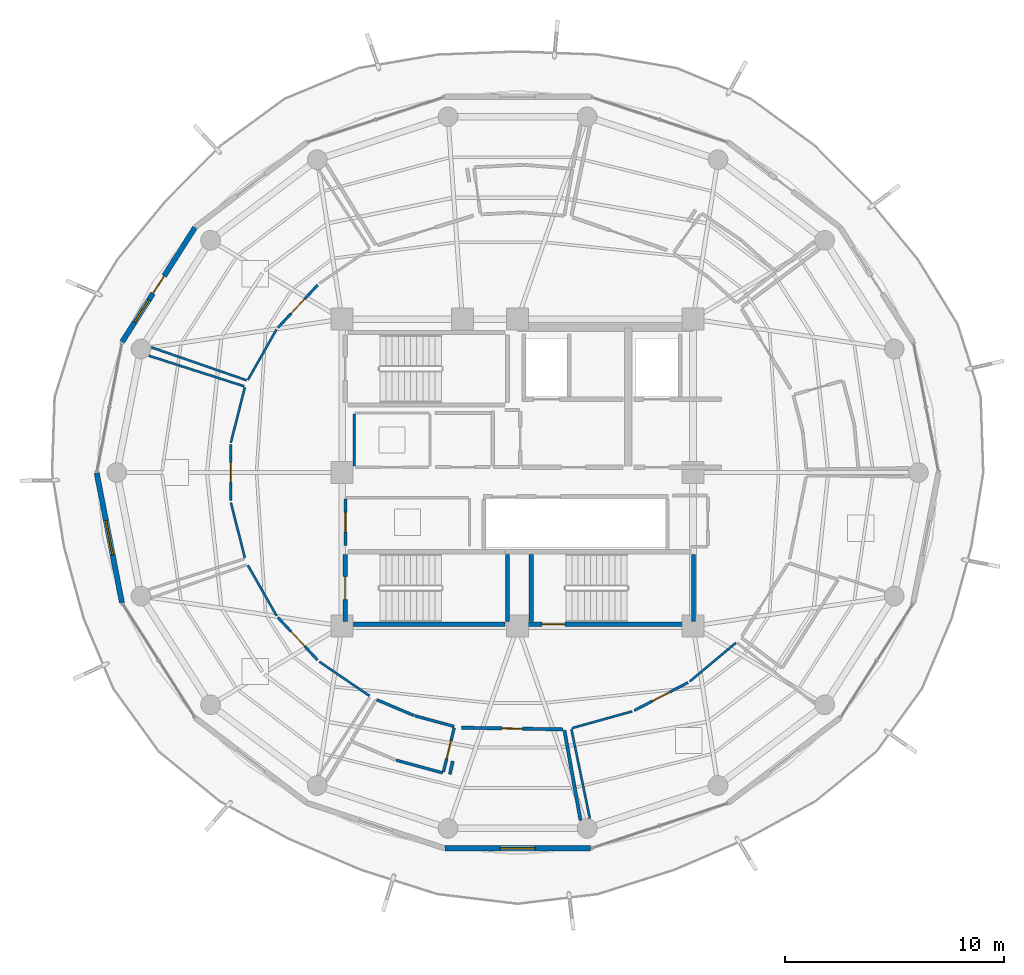
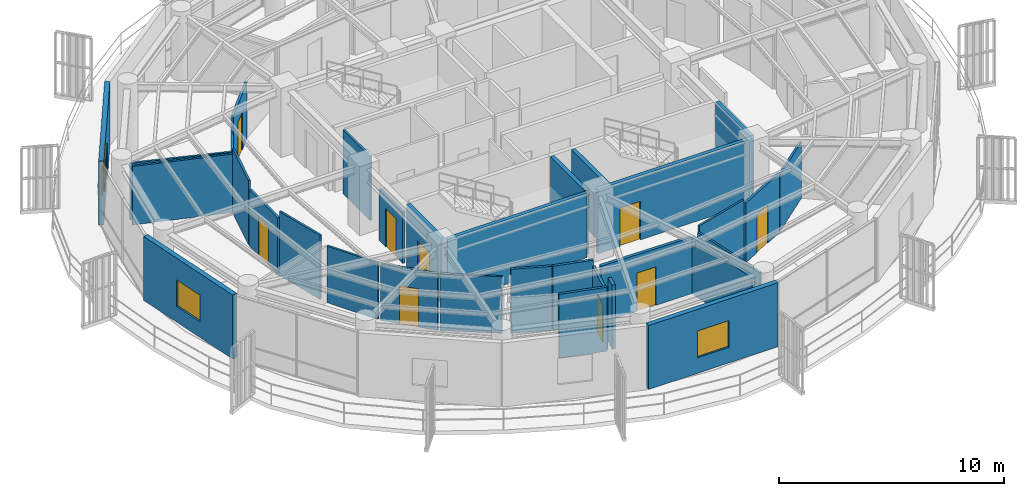
# One storey, part 16 of 23: 32 walls, 10 doors, 3 windows, 13 openings.
"""IFC4 building model written with IfcOpenShell, lengths in metres."""

from ifc_helpers import new_model, si_unit, direction, frame, frame_2d, origin, place, context, subcontext, project, spatial, rectangle, extrude, material, layer, layer_set, type_object, element, fill, save


model = new_model("IFC4")

# Units and contexts
model_context = context("Model", 3, precision=1e-05, world=origin(), true_north=direction((0.0, 1.0)))
body_context = subcontext(model_context, "Body", "Model", "MODEL_VIEW")
ifc_project = project(units=[si_unit("LENGTHUNIT", "METRE"), si_unit("AREAUNIT", "SQUARE_METRE"), si_unit("VOLUMEUNIT", "CUBIC_METRE"), si_unit("PLANEANGLEUNIT", "RADIAN"), si_unit("MASSUNIT", "GRAM", prefix="KILO")], contexts=[model_context])

# Site, building, storey
site_placement = place(None, origin())
site = spatial("IfcSite", under=ifc_project, at=site_placement, CompositionType="ELEMENT")
building_placement = place(site_placement, origin())
building = spatial("IfcBuilding", under=site, at=building_placement, Name="Kelanora Arch Commons", CompositionType="ELEMENT")
storey_placement = place(building_placement, frame((0.0, 0.0, 252.449951171875)))
storey = spatial("IfcBuildingStorey", under=building, at=storey_placement, Name="L64", CompositionType="ELEMENT", Elevation=252.449951171875)

# Wall, opening, door
ifc_material_1 = material(Name="Autoclaved aerated concrete blockwork with fire plaster", Category="masonry")
ifc_layer_1 = layer(ifc_material_1, 0.14990234375)
ifc_layer_set_1 = layer_set([ifc_layer_1], Name="Autoclaved aerated concrete blockwork with fire plaster")
wall_type_1 = type_object("IfcWallType", Name="W-COMP-150", PredefinedType="PARTITIONING", material=ifc_layer_set_1)
wall_1_placement = place(storey_placement, frame((71.44189453125, 46.365966796875, 0.0), z_axis=(0.0, 0.0, 1.0), x_axis=(0.99985475278, -0.017043278545, 0.0)))
wall_1 = element("IfcWall", 1, at=wall_1_placement, inside=storey, type_object=wall_type_1, Name="Co-Living Studio L64-07 Entry Partition", PredefinedType="PARTITIONING", context=body_context, shape_type="SweptSolid", body=[
    extrude(rectangle(XDim=4.626953125, YDim=0.14990234375, at=frame_2d((2.3134765625, 0.0))), origin(), (0.0, 0.0, 1.0), 3.074951171875),
])
opening_1_placement = place(wall_1_placement, frame((1.837890625, 0.0, 0.0)))
opening_1 = element("IfcOpeningElement", 2, at=opening_1_placement, cuts=wall_1, Name="Opening D-CLU1", PredefinedType="OPENING", context=body_context, shape_type="SweptSolid", body=[
    extrude(rectangle(XDim=0.949951171875, YDim=2.080078125, at=frame_2d((0.47509765625, 1.0400390625))), frame((0.0, 0.0849609375, 0.0), z_axis=(0.0, -1.0, 0.0), x_axis=(1.0, 0.0, 0.0)), (0.0, 0.0, 1.0), 0.169921875),
])
ifc_material_2 = material(Name="Solid-core acoustic timber cluster entry fire door", Category="wood")
door_type_1 = type_object("IfcDoorType", Name="D-CLU-95", OperationType="NOTDEFINED", PredefinedType="DOOR", material=ifc_material_2)
door_1_placement = place(opening_1_placement, origin())
door_1 = element("IfcDoor", 3, at=door_1_placement, inside=storey, type_object=door_type_1, Name="Co-Living Studio L64-07 Door", OperationType="SINGLE_SWING_LEFT", OverallHeight=2.080078125, OverallWidth=0.949951171875, PredefinedType="DOOR", context=body_context, shape_type="SweptSolid", body=[
    extrude(rectangle(XDim=0.949951171875, YDim=2.080078125, at=frame_2d((0.47509765625, 1.0400390625))), frame((0.0, 0.02490234375, 0.0), z_axis=(0.0, -1.0, 0.0), x_axis=(1.0, 0.0, 0.0)), (0.0, 0.0, 1.0), 0.050048828125),
])
fill(opening_1, door_1)

# Walls
wall_2_placement = place(storey_placement, frame((76.135009765625, 46.24658203125, 0.0), z_axis=(0.0, 0.0, 1.0), x_axis=(0.176199339585, -0.984354505618, 0.0)))
element("IfcWall", 4, at=wall_2_placement, inside=storey, type_object=wall_type_1, Name="Co-Living Studio L64-07 Enclosure Partition 2", PredefinedType="PARTITIONING", context=body_context, shape_type="SweptSolid", body=[
    extrude(rectangle(XDim=4.17626953125, YDim=0.14990234375, at=frame_2d((2.088134765625, 0.0))), origin(), (0.0, 0.0, 1.0), 3.074951171875),
])
wall_3_placement = place(storey_placement, frame((70.91064453125, 44.239990234375, 0.0), z_axis=(0.0, 0.0, 1.0), x_axis=(0.216216290924, 0.976345489844, 0.0)))
element("IfcWall", 5, at=wall_3_placement, inside=storey, type_object=wall_type_1, Name="Co-Living Studio L64-07 Enclosure Partition 7", PredefinedType="PARTITIONING", context=body_context, shape_type="SweptSolid", body=[
    extrude(rectangle(XDim=0.615478515625, YDim=0.14990234375, at=frame_2d((0.3076171875, 0.0))), origin(), (0.0, 0.0, 1.0), 3.47998046875),
])

# Wall, openings, door, window
ifc_material_3 = material(Name="Precast concrete C40/50 upper-zone terracotta rainscreen", Category="masonry")
ifc_layer_2 = layer(ifc_material_3, 0.239990234375)
ifc_layer_set_2 = layer_set([ifc_layer_2], Name="Precast concrete C40/50 upper-zone terracotta rainscreen")
wall_type_2 = type_object("IfcWallType", Name="W-EXT-TC2", PredefinedType="SOLIDWALL", material=ifc_layer_set_2)
wall_4_placement = place(storey_placement, frame((59.28369140625, 69.171875, 0.0), z_axis=(0.0, 0.0, 1.0), x_axis=(-0.537271968456, -0.843409053728, 0.0)))
wall_4 = element("IfcWall", 6, at=wall_4_placement, inside=storey, type_object=wall_type_2, Name="Terracotta Exterior Wall L64-B07", PredefinedType="SOLIDWALL", context=body_context, shape_type="SweptSolid", body=[
    extrude(rectangle(XDim=6.175048828125, YDim=0.239990234375, at=frame_2d((3.08740234375, 0.0))), origin(), (0.0, 0.0, 1.0), 3.47509765625),
])
opening_2_placement = place(wall_4_placement, frame((2.613037109375, 0.0, 0.0)))
opening_2 = element("IfcOpeningElement", 7, at=opening_2_placement, cuts=wall_4, Name="Opening DB-01", PredefinedType="OPENING", context=body_context, shape_type="SweptSolid", body=[
    extrude(rectangle(XDim=0.949951171875, YDim=2.10009765625, at=frame_2d((0.47509765625, 1.050048828125))), frame((0.0, 0.1298828125, 0.0), z_axis=(0.0, -1.0, 0.0), x_axis=(1.0, 0.0, 0.0)), (0.0, 0.0, 1.0), 0.260009765625),
])
opening_3_placement = place(wall_4_placement, frame((3.9130859375, 0.0, 0.85009765625)))
opening_3 = element("IfcOpeningElement", 8, at=opening_3_placement, cuts=wall_4, Name="Opening WN-02", PredefinedType="OPENING", context=body_context, shape_type="SweptSolid", body=[
    extrude(rectangle(XDim=1.199951171875, YDim=1.449951171875, at=frame_2d((0.60009765625, 0.72509765625))), frame((0.0, 0.1298828125, 0.0), z_axis=(0.0, -1.0, 0.0), x_axis=(1.0, 0.0, 0.0)), (0.0, 0.0, 1.0), 0.260009765625),
])
ifc_material_4 = material(Name="Terracotta-aluminium thermally broken glazed balcony door", Category="masonry")
door_type_2 = type_object("IfcDoorType", Name="D-BAL-10", OperationType="NOTDEFINED", PredefinedType="DOOR", material=ifc_material_4)
door_2_placement = place(opening_2_placement, frame((0.949951171875, 0.0, 0.0), z_axis=(0.0, 0.0, 1.0), x_axis=(-1.0, 0.0, 0.0)))
door_2 = element("IfcDoor", 9, at=door_2_placement, inside=storey, type_object=door_type_2, Name="Wave Balcony Door L64-B07", OperationType="SINGLE_SWING_RIGHT", OverallHeight=2.10009765625, OverallWidth=0.949951171875, PredefinedType="DOOR", context=body_context, shape_type="SweptSolid", body=[
    extrude(rectangle(XDim=0.949951171875, YDim=2.10009765625, at=frame_2d((0.47509765625, 1.050048828125))), frame((0.0, 0.02490234375, 0.0), z_axis=(0.0, -1.0, 0.0), x_axis=(1.0, 0.0, 0.0)), (0.0, 0.0, 1.0), 0.050048828125),
])
fill(opening_2, door_2)
ifc_material_5 = material(Name="Terracotta-anodised aluminium frame with operable awning sash", Category="masonry")
window_type_1 = type_object("IfcWindowType", Name="WIN-CL-12", PartitioningType="SINGLE_PANEL", PredefinedType="WINDOW", material=ifc_material_5)
window_1_placement = place(opening_3_placement, origin())
window_1 = element("IfcWindow", 10, at=window_1_placement, inside=storey, type_object=window_type_1, Name="Co-Living Operable Window L64-B07", OverallHeight=1.449951171875, OverallWidth=1.199951171875, PartitioningType="SINGLE_PANEL", PredefinedType="WINDOW", context=body_context, shape_type="SweptSolid", body=[
    extrude(rectangle(XDim=1.199951171875, YDim=1.449951171875, at=frame_2d((0.60009765625, 0.72509765625))), frame((0.0, 0.030029296875, 0.0), z_axis=(0.0, -1.0, 0.0), x_axis=(1.0, 0.0, 0.0)), (0.0, 0.0, 1.0), 0.06005859375),
])
fill(opening_3, window_1)

# Wall, opening, window
wall_5_placement = place(storey_placement, frame((54.802978515625, 57.9853515625, 0.0), z_axis=(0.0, 0.0, 1.0), x_axis=(0.190969309115, -0.981596008028, 0.0)))
wall_5 = element("IfcWall", 11, at=wall_5_placement, inside=storey, type_object=wall_type_2, Name="Terracotta Exterior Wall L64-B09", PredefinedType="SOLIDWALL", context=body_context, shape_type="SweptSolid", body=[
    extrude(rectangle(XDim=6.032958984375, YDim=0.239990234375, at=frame_2d((3.0166015625, 0.0))), origin(), (0.0, 0.0, 1.0), 3.47509765625),
])
opening_4_placement = place(wall_5_placement, frame((2.216064453125, 0.0, 0.85009765625)))
opening_4 = element("IfcOpeningElement", 12, at=opening_4_placement, cuts=wall_5, Name="Opening WN-01", PredefinedType="OPENING", context=body_context, shape_type="SweptSolid", body=[
    extrude(rectangle(XDim=1.60009765625, YDim=1.449951171875, at=frame_2d((0.800048828125, 0.72509765625))), frame((0.0, 0.1298828125, 0.0), z_axis=(0.0, -1.0, 0.0), x_axis=(1.0, 0.0, 0.0)), (0.0, 0.0, 1.0), 0.260009765625),
])
ifc_material_6 = material(Name="Terracotta-anodised aluminium frame with operable low-E glazing", Category="masonry")
window_type_2 = type_object("IfcWindowType", Name="WIN-CL-18", PartitioningType="DOUBLE_PANEL_VERTICAL", PredefinedType="WINDOW", material=ifc_material_6)
window_2_placement = place(opening_4_placement, origin())
window_2 = element("IfcWindow", 13, at=window_2_placement, inside=storey, type_object=window_type_2, Name="Co-Living Operable Window L64-B09", OverallHeight=1.449951171875, OverallWidth=1.60009765625, PartitioningType="SINGLE_PANEL", PredefinedType="WINDOW", context=body_context, shape_type="SweptSolid", body=[
    extrude(rectangle(XDim=1.60009765625, YDim=1.449951171875, at=frame_2d((0.800048828125, 0.72509765625))), frame((0.0, 0.030029296875, 0.0), z_axis=(0.0, -1.0, 0.0), x_axis=(1.0, 0.0, 0.0)), (0.0, 0.0, 1.0), 0.06005859375),
])
fill(opening_4, window_2)

wall_6_placement = place(storey_placement, frame((70.680908203125, 40.8642578125, 0.0), z_axis=(0.0, 0.0, 1.0), x_axis=(1.0, 0.0, 0.0)))
wall_6 = element("IfcWall", 14, at=wall_6_placement, inside=storey, type_object=wall_type_2, Name="Terracotta Exterior Wall L64-B13", PredefinedType="SOLIDWALL", context=body_context, shape_type="SweptSolid", body=[
    extrude(rectangle(XDim=6.63818359375, YDim=0.239990234375, at=frame_2d((3.319091796875, 0.0))), origin(), (0.0, 0.0, 1.0), 3.47509765625),
])
opening_5_placement = place(wall_6_placement, frame((2.51904296875, 0.0, 0.85009765625)))
opening_5 = element("IfcOpeningElement", 15, at=opening_5_placement, cuts=wall_6, Name="Opening WN-01", PredefinedType="OPENING", context=body_context, shape_type="SweptSolid", body=[
    extrude(rectangle(XDim=1.60009765625, YDim=1.449951171875, at=frame_2d((0.800048828125, 0.72509765625))), frame((0.0, 0.1298828125, 0.0), z_axis=(0.0, -1.0, 0.0), x_axis=(1.0, 0.0, 0.0)), (0.0, 0.0, 1.0), 0.260009765625),
])
window_3_placement = place(opening_5_placement, origin())
window_3 = element("IfcWindow", 16, at=window_3_placement, inside=storey, type_object=window_type_2, Name="Co-Living Operable Window L64-B13", OverallHeight=1.449951171875, OverallWidth=1.60009765625, PartitioningType="SINGLE_PANEL", PredefinedType="WINDOW", context=body_context, shape_type="SweptSolid", body=[
    extrude(rectangle(XDim=1.60009765625, YDim=1.449951171875, at=frame_2d((0.800048828125, 0.72509765625))), frame((0.0, 0.030029296875, 0.0), z_axis=(0.0, -1.0, 0.0), x_axis=(1.0, 0.0, 0.0)), (0.0, 0.0, 1.0), 0.06005859375),
])
fill(opening_5, window_3)

# Walls
ifc_material_7 = material(Name="Lightweight fire-rated acoustic stud partition")
ifc_layer_3 = layer(ifc_material_7, 0.10009765625)
ifc_layer_set_3 = layer_set([ifc_layer_3], Name="Lightweight fire-rated acoustic stud partition")
wall_type_3 = type_object("IfcWallType", Name="W-PART-100", PredefinedType="PARTITIONING", material=ifc_layer_set_3)
wall_7_placement = place(storey_placement, frame((66.550048828125, 60.679931640625, 0.0), z_axis=(0.0, 0.0, 1.0), x_axis=(0.0, -1.0, 0.0)))
element("IfcWall", 17, at=wall_7_placement, inside=storey, type_object=wall_type_3, Name="Reclaimed Core Quiet Phone Booths L64 Enclosure Partition 4", PredefinedType="PARTITIONING", context=body_context, shape_type="SweptSolid", body=[
    extrude(rectangle(XDim=2.389892578125, YDim=0.10009765625, at=frame_2d((1.19482421875, 0.0))), origin(), (0.0, 0.0, 1.0), 3.47998046875),
])
wall_8_placement = place(storey_placement, frame((63.006103515625, 64.5283203125, 0.0), z_axis=(0.0, 0.0, 1.0), x_axis=(-0.494277588427, -0.869304127207, 0.0)))
element("IfcWall", 18, at=wall_8_placement, inside=storey, type_object=wall_type_3, Name="Communal Dining and Social Hall L64-04 Enclosure Partition 3", PredefinedType="PARTITIONING", context=body_context, shape_type="SweptSolid", body=[
    extrude(rectangle(XDim=2.64306640625, YDim=0.10009765625, at=frame_2d((1.321533203125, 0.0))), origin(), (0.0, 0.0, 1.0), 3.074951171875),
])
wall_9_placement = place(storey_placement, frame((61.64208984375, 62.208984375, 0.0), z_axis=(0.0, 0.0, 1.0), x_axis=(-0.945103281494, 0.326771766388, 0.0)))
element("IfcWall", 19, at=wall_9_placement, inside=storey, type_object=wall_type_3, Name="Communal Dining and Social Hall L64-04 Enclosure Partition 4", PredefinedType="PARTITIONING", context=body_context, shape_type="SweptSolid", body=[
    extrude(rectangle(XDim=4.603759765625, YDim=0.10009765625, at=frame_2d((2.3017578125, 0.0))), origin(), (0.0, 0.0, 1.0), 3.074951171875),
])
for number, where, z_axis, x_axis, name in (
    (20, (61.560302734375, 61.88427734375, 0.0), (0.0, 0.0, 1.0), (-0.245655775867, -0.969357127061, 0.0), "Social Sky Lounge L64-05 Enclosure Partition 1"),
    (21, (60.9228515625, 56.631103515625, 0.0), (0.0, 0.0, 1.0), (0.245655775867, -0.969357127061, 0.0), "Social Sky Lounge L64-05 Enclosure Partition 3"),
):
    element("IfcWall", number, at=place(storey_placement, frame(where, z_axis=z_axis, x_axis=x_axis)), inside=storey, type_object=wall_type_3, Name=name, PredefinedType="PARTITIONING", context=body_context, shape_type="SweptSolid", body=[
        extrude(rectangle(XDim=2.594970703125, YDim=0.10009765625, at=frame_2d((1.29736328125, 0.0))), origin(), (0.0, 0.0, 1.0), 3.47998046875),
    ])
wall_10_placement = place(storey_placement, frame((57.184326171875, 63.328857421875, 0.0), z_axis=(0.0, 0.0, 1.0), x_axis=(0.95227750557, -0.305233602976, 0.0)))
element("IfcWall", 22, at=wall_10_placement, inside=storey, type_object=wall_type_3, Name="Social Sky Lounge L64-05 Enclosure Partition 8", PredefinedType="PARTITIONING", context=body_context, shape_type="SweptSolid", body=[
    extrude(rectangle(XDim=4.5654296875, YDim=0.10009765625, at=frame_2d((2.28271484375, 0.0))), origin(), (0.0, 0.0, 1.0), 3.175048828125),
])
wall_11_placement = place(storey_placement, frame((61.69970703125, 53.769287109375, 0.0), z_axis=(0.0, 0.0, 1.0), x_axis=(0.494277588427, -0.869304127207, 0.0)))
element("IfcWall", 23, at=wall_11_placement, inside=storey, type_object=wall_type_3, Name="Quiet Seminar Study Room L64-06 Enclosure Partition 1", PredefinedType="PARTITIONING", context=body_context, shape_type="SweptSolid", body=[
    extrude(rectangle(XDim=2.64306640625, YDim=0.10009765625, at=frame_2d((1.321533203125, 0.0))), origin(), (0.0, 0.0, 1.0), 3.074951171875),
])
wall_12_placement = place(storey_placement, frame((64.9560546875, 49.37646484375, 0.0), z_axis=(0.0, 0.0, 1.0), x_axis=(0.826087380575, -0.563542047814, 0.0)))
element("IfcWall", 24, at=wall_12_placement, inside=storey, type_object=wall_type_3, Name="Quiet Seminar Study Room L64-06 Enclosure Partition 3", PredefinedType="PARTITIONING", context=body_context, shape_type="SweptSolid", body=[
    extrude(rectangle(XDim=2.768310546875, YDim=0.10009765625, at=frame_2d((1.38427734375, 0.0))), origin(), (0.0, 0.0, 1.0), 3.074951171875),
])
wall_13_placement = place(storey_placement, frame((76.4833984375, 46.3466796875, 0.0), z_axis=(0.0, 0.0, 1.0), x_axis=(0.963478601256, 0.267785333659, 0.0)))
element("IfcWall", 25, at=wall_13_placement, inside=storey, type_object=wall_type_3, Name="Communal Dining and Social Hall L64-08 Enclosure Partition 1", PredefinedType="PARTITIONING", context=body_context, shape_type="SweptSolid", body=[
    extrude(rectangle(XDim=2.84814453125, YDim=0.10009765625, at=frame_2d((1.424072265625, 0.0))), origin(), (0.0, 0.0, 1.0), 3.47998046875),
])
wall_14_placement = place(storey_placement, frame((81.851806640625, 48.4755859375, 0.0), z_axis=(0.0, 0.0, 1.0), x_axis=(0.767022676895, 0.641619991216, 0.0)))
element("IfcWall", 26, at=wall_14_placement, inside=storey, type_object=wall_type_3, Name="Communal Dining and Social Hall L64-08 Enclosure Partition 3", PredefinedType="PARTITIONING", context=body_context, shape_type="SweptSolid", body=[
    extrude(rectangle(XDim=2.7412109375, YDim=0.10009765625, at=frame_2d((1.37060546875, 0.0))), origin(), (0.0, 0.0, 1.0), 3.074951171875),
])
wall_15_placement = place(storey_placement, frame((77.293212890625, 42.230224609375, 0.0), z_axis=(0.0, 0.0, 1.0), x_axis=(-0.202308141573, 0.979321916355, 0.0)))
element("IfcWall", 27, at=wall_15_placement, inside=storey, type_object=wall_type_3, Name="Communal Dining and Social Hall L64-08 Enclosure Partition 8", PredefinedType="PARTITIONING", context=body_context, shape_type="SweptSolid", body=[
    extrude(rectangle(XDim=4.152587890625, YDim=0.10009765625, at=frame_2d((2.076171875, 0.0))), origin(), (0.0, 0.0, 1.0), 3.175048828125),
])

# Wall, opening, door
ifc_material_8 = material(Name="Acoustic twin-stud fire-rated gypsum partition")
ifc_layer_4 = layer(ifc_material_8, 0.1201171875)
ifc_layer_set_4 = layer_set([ifc_layer_4], Name="Acoustic twin-stud fire-rated gypsum partition")
wall_type_4 = type_object("IfcWallType", Name="W-PART-120", PredefinedType="PARTITIONING", material=ifc_layer_set_4)
wall_16_placement = place(storey_placement, frame((66.14990234375, 54.679931640625, 0.0), z_axis=(0.0, 0.0, 1.0), x_axis=(0.0, 1.0, 0.0)))
wall_16 = element("IfcWall", 28, at=wall_16_placement, inside=storey, type_object=wall_type_4, Name="Reclaimed Core High-Zone Pantry and Copy Room L64 Entry Partition", PredefinedType="PARTITIONING", context=body_context, shape_type="SweptSolid", body=[
    extrude(rectangle(XDim=2.110107421875, YDim=0.1201171875, at=frame_2d((1.05517578125, 0.0))), origin(), (0.0, 0.0, 1.0), 2.775146484375),
])
opening_6_placement = place(wall_16_placement, frame((0.60498046875, 0.0, 0.0)))
opening_6 = element("IfcOpeningElement", 29, at=opening_6_placement, cuts=wall_16, Name="Opening D-RM1", PredefinedType="OPENING", context=body_context, shape_type="SweptSolid", body=[
    extrude(rectangle(XDim=0.89990234375, YDim=2.080078125, at=frame_2d((0.449951171875, 1.0400390625))), frame((0.0, 0.070068359375, 0.0), z_axis=(0.0, -1.0, 0.0), x_axis=(1.0, 0.0, 0.0)), (0.0, 0.0, 1.0), 0.14013671875),
])
ifc_material_9 = material(Name="Acoustic fire-rated timber study and lounge door", Category="wood")
door_type_3 = type_object("IfcDoorType", Name="D-ROOM-90", OperationType="NOTDEFINED", PredefinedType="DOOR", material=ifc_material_9)
door_3_placement = place(opening_6_placement, origin())
door_3 = element("IfcDoor", 30, at=door_3_placement, inside=storey, type_object=door_type_3, Name="Reclaimed Core High-Zone Pantry and Copy Room L64 Door", OperationType="SINGLE_SWING_RIGHT", OverallHeight=2.080078125, OverallWidth=0.89990234375, PredefinedType="DOOR", context=body_context, shape_type="SweptSolid", body=[
    extrude(rectangle(XDim=0.89990234375, YDim=2.080078125, at=frame_2d((0.449951171875, 1.0400390625))), frame((0.0, 0.02490234375, 0.0), z_axis=(0.0, -1.0, 0.0), x_axis=(1.0, 0.0, 0.0)), (0.0, 0.0, 1.0), 0.050048828125),
])
fill(opening_6, door_3)

wall_17_placement = place(storey_placement, frame((64.882080078125, 66.55712890625, 0.0), z_axis=(0.0, 0.0, 1.0), x_axis=(-0.681315269885, -0.731990097625, 0.0)))
wall_17 = element("IfcWall", 31, at=wall_17_placement, inside=storey, type_object=wall_type_4, Name="Communal Dining and Social Hall L64-04 Entry Partition", PredefinedType="PARTITIONING", context=body_context, shape_type="SweptSolid", body=[
    extrude(rectangle(XDim=2.664306640625, YDim=0.1201171875, at=frame_2d((1.33203125, 0.0))), origin(), (0.0, 0.0, 1.0), 3.074951171875),
])
opening_7_placement = place(wall_17_placement, frame((0.882080078125, 0.0, 0.0)))
opening_7 = element("IfcOpeningElement", 32, at=opening_7_placement, cuts=wall_17, Name="Opening D-RM1", PredefinedType="OPENING", context=body_context, shape_type="SweptSolid", body=[
    extrude(rectangle(XDim=0.89990234375, YDim=2.080078125, at=frame_2d((0.449951171875, 1.0400390625))), frame((0.0, 0.070068359375, 0.0), z_axis=(0.0, -1.0, 0.0), x_axis=(1.0, 0.0, 0.0)), (0.0, 0.0, 1.0), 0.14013671875),
])
door_4_placement = place(opening_7_placement, origin())
door_4 = element("IfcDoor", 33, at=door_4_placement, inside=storey, type_object=door_type_3, Name="Communal Dining and Social Hall L64-04 Door", OperationType="SINGLE_SWING_LEFT", OverallHeight=2.080078125, OverallWidth=0.89990234375, PredefinedType="DOOR", context=body_context, shape_type="SweptSolid", body=[
    extrude(rectangle(XDim=0.89990234375, YDim=2.080078125, at=frame_2d((0.449951171875, 1.0400390625))), frame((0.0, 0.02490234375, 0.0), z_axis=(0.0, -1.0, 0.0), x_axis=(1.0, 0.0, 0.0)), (0.0, 0.0, 1.0), 0.050048828125),
])
fill(opening_7, door_4)

wall_18_placement = place(storey_placement, frame((60.9130859375, 59.27001953125, 0.0), z_axis=(0.0, 0.0, 1.0), x_axis=(0.0, -1.0, 0.0)))
wall_18 = element("IfcWall", 34, at=wall_18_placement, inside=storey, type_object=wall_type_4, Name="Social Sky Lounge L64-05 Entry Partition", PredefinedType="PARTITIONING", context=body_context, shape_type="SweptSolid", body=[
    extrude(rectangle(XDim=2.5400390625, YDim=0.1201171875, at=frame_2d((1.27001953125, 0.0))), origin(), (0.0, 0.0, 1.0), 3.074951171875),
])
opening_8_placement = place(wall_18_placement, frame((0.820068359375, 0.0, 0.0)))
opening_8 = element("IfcOpeningElement", 35, at=opening_8_placement, cuts=wall_18, Name="Opening D-RM1", PredefinedType="OPENING", context=body_context, shape_type="SweptSolid", body=[
    extrude(rectangle(XDim=0.89990234375, YDim=2.080078125, at=frame_2d((0.449951171875, 1.0400390625))), frame((0.0, 0.070068359375, 0.0), z_axis=(0.0, -1.0, 0.0), x_axis=(1.0, 0.0, 0.0)), (0.0, 0.0, 1.0), 0.14013671875),
])
door_5_placement = place(opening_8_placement, origin())
door_5 = element("IfcDoor", 36, at=door_5_placement, inside=storey, type_object=door_type_3, Name="Social Sky Lounge L64-05 Door", OperationType="SINGLE_SWING_RIGHT", OverallHeight=2.080078125, OverallWidth=0.89990234375, PredefinedType="DOOR", context=body_context, shape_type="SweptSolid", body=[
    extrude(rectangle(XDim=0.89990234375, YDim=2.080078125, at=frame_2d((0.449951171875, 1.0400390625))), frame((0.0, 0.02490234375, 0.0), z_axis=(0.0, -1.0, 0.0), x_axis=(1.0, 0.0, 0.0)), (0.0, 0.0, 1.0), 0.050048828125),
])
fill(opening_8, door_5)

wall_19_placement = place(storey_placement, frame((63.06689453125, 51.39306640625, 0.0), z_axis=(0.0, 0.0, 1.0), x_axis=(0.681315269885, -0.731990097625, 0.0)))
wall_19 = element("IfcWall", 37, at=wall_19_placement, inside=storey, type_object=wall_type_4, Name="Quiet Seminar Study Room L64-06 Entry Partition", PredefinedType="PARTITIONING", context=body_context, shape_type="SweptSolid", body=[
    extrude(rectangle(XDim=2.664306640625, YDim=0.1201171875, at=frame_2d((1.33203125, 0.0))), origin(), (0.0, 0.0, 1.0), 3.074951171875),
])
opening_9_placement = place(wall_19_placement, frame((0.882080078125, 0.0, 0.0)))
opening_9 = element("IfcOpeningElement", 38, at=opening_9_placement, cuts=wall_19, Name="Opening D-RM1", PredefinedType="OPENING", context=body_context, shape_type="SweptSolid", body=[
    extrude(rectangle(XDim=0.89990234375, YDim=2.080078125, at=frame_2d((0.449951171875, 1.0400390625))), frame((0.0, 0.070068359375, 0.0), z_axis=(0.0, -1.0, 0.0), x_axis=(1.0, 0.0, 0.0)), (0.0, 0.0, 1.0), 0.14013671875),
])
door_6_placement = place(opening_9_placement, origin())
door_6 = element("IfcDoor", 39, at=door_6_placement, inside=storey, type_object=door_type_3, Name="Quiet Seminar Study Room L64-06 Door", OperationType="SINGLE_SWING_LEFT", OverallHeight=2.080078125, OverallWidth=0.89990234375, PredefinedType="DOOR", context=body_context, shape_type="SweptSolid", body=[
    extrude(rectangle(XDim=0.89990234375, YDim=2.080078125, at=frame_2d((0.449951171875, 1.0400390625))), frame((0.0, 0.02490234375, 0.0), z_axis=(0.0, -1.0, 0.0), x_axis=(1.0, 0.0, 0.0)), (0.0, 0.0, 1.0), 0.050048828125),
])
fill(opening_9, door_6)

wall_20_placement = place(storey_placement, frame((79.319091796875, 47.147705078125, 0.0), z_axis=(0.0, 0.0, 1.0), x_axis=(0.887021247279, 0.461728607382, 0.0)))
wall_20 = element("IfcWall", 40, at=wall_20_placement, inside=storey, type_object=wall_type_4, Name="Communal Dining and Social Hall L64-08 Entry Partition", PredefinedType="PARTITIONING", context=body_context, shape_type="SweptSolid", body=[
    extrude(rectangle(XDim=2.7607421875, YDim=0.1201171875, at=frame_2d((1.38037109375, 0.0))), origin(), (0.0, 0.0, 1.0), 3.235107421875),
])
opening_10_placement = place(wall_20_placement, frame((0.929931640625, 0.0, 0.0)))
opening_10 = element("IfcOpeningElement", 41, at=opening_10_placement, cuts=wall_20, Name="Opening D-RM1", PredefinedType="OPENING", context=body_context, shape_type="SweptSolid", body=[
    extrude(rectangle(XDim=0.89990234375, YDim=2.080078125, at=frame_2d((0.449951171875, 1.0400390625))), frame((0.0, 0.070068359375, 0.0), z_axis=(0.0, -1.0, 0.0), x_axis=(1.0, 0.0, 0.0)), (0.0, 0.0, 1.0), 0.14013671875),
])
door_7_placement = place(opening_10_placement, origin())
door_7 = element("IfcDoor", 42, at=door_7_placement, inside=storey, type_object=door_type_3, Name="Communal Dining and Social Hall L64-08 Door", OperationType="SINGLE_SWING_RIGHT", OverallHeight=2.080078125, OverallWidth=0.89990234375, PredefinedType="DOOR", context=body_context, shape_type="SweptSolid", body=[
    extrude(rectangle(XDim=0.89990234375, YDim=2.080078125, at=frame_2d((0.449951171875, 1.0400390625))), frame((0.0, 0.02490234375, 0.0), z_axis=(0.0, -1.0, 0.0), x_axis=(1.0, 0.0, 0.0)), (0.0, 0.0, 1.0), 0.050048828125),
])
fill(opening_10, door_7)

ifc_material_10 = material(Name="Concrete C40/50", Category="concrete")
ifc_layer_5 = layer(ifc_material_10, 0.199951171875)
ifc_layer_set_5 = layer_set([ifc_layer_5], Name="Concrete C40/50")
wall_type_5 = type_object("IfcWallType", Name="W-STAIR-200", PredefinedType="SHEAR", material=ifc_layer_set_5)
wall_21_placement = place(storey_placement, frame((74.0, 51.080078125, 0.0), z_axis=(0.0, 0.0, 1.0), x_axis=(1.0, 0.0, 0.0)))
wall_21 = element("IfcWall", 43, at=wall_21_placement, inside=storey, type_object=wall_type_5, Name="Stair ST-T2 Shaft Wall S L64", PredefinedType="SHEAR", context=body_context, shape_type="SweptSolid", body=[
    extrude(rectangle(XDim=7.89990234375, YDim=0.199951171875, at=frame_2d((3.949951171875, 0.0))), origin(), (0.0, 0.0, 1.0), 3.489990234375),
])
opening_11_placement = place(wall_21_placement, frame((1.1201171875, 0.0, 0.0)))
opening_11 = element("IfcOpeningElement", 44, at=opening_11_placement, cuts=wall_21, Name="Opening D-ST1", PredefinedType="OPENING", context=body_context, shape_type="SweptSolid", body=[
    extrude(rectangle(XDim=1.050048828125, YDim=2.10009765625, at=frame_2d((0.52490234375, 1.050048828125))), frame((0.0, 0.10986328125, 0.0), z_axis=(0.0, -1.0, 0.0), x_axis=(1.0, 0.0, 0.0)), (0.0, 0.0, 1.0), 0.219970703125),
])
ifc_material_11 = material(Name="Steel fire-rated stairwell escape door", Category="steel")
door_type_4 = type_object("IfcDoorType", Name="D-STAIR-110", OperationType="NOTDEFINED", PredefinedType="DOOR", material=ifc_material_11)
door_8_placement = place(opening_11_placement, origin())
door_8 = element("IfcDoor", 45, at=door_8_placement, inside=storey, type_object=door_type_4, Name="Stair ST-T2 Escape Door L64", OperationType="SINGLE_SWING_LEFT", OverallHeight=2.10009765625, OverallWidth=1.050048828125, PredefinedType="DOOR", context=body_context, shape_type="SweptSolid", body=[
    extrude(rectangle(XDim=1.050048828125, YDim=2.10009765625, at=frame_2d((0.52490234375, 1.050048828125))), frame((0.0, 0.02490234375, 0.0), z_axis=(0.0, -1.0, 0.0), x_axis=(1.0, 0.0, 0.0)), (0.0, 0.0, 1.0), 0.050048828125),
])
fill(opening_11, door_8)

# Walls
for number, where, z_axis, x_axis, name in (
    (46, (82.02001953125, 51.199951171875, 0.0), (0.0, 0.0, 1.0), (0.0, 1.0, 0.0), "Stair ST-T2 Shaft Wall E L64"),
    (47, (74.6201171875, 54.27001953125, 0.0), (0.0, 0.0, 1.0), (0.0, -1.0, 0.0), "Stair ST-T2 Shaft Wall W L64"),
):
    element("IfcWall", number, at=place(storey_placement, frame(where, z_axis=z_axis, x_axis=x_axis)), inside=storey, type_object=wall_type_5, Name=name, PredefinedType="SHEAR", context=body_context, shape_type="SweptSolid", body=[
        extrude(rectangle(XDim=3.070068359375, YDim=0.199951171875, at=frame_2d((1.53515625, 0.0))), origin(), (0.0, 0.0, 1.0), 3.489990234375),
    ])
wall_22_placement = place(storey_placement, frame((66.260009765625, 51.080078125, 0.0), z_axis=(0.0, 0.0, 1.0), x_axis=(1.0, 0.0, 0.0)))
element("IfcWall", 48, at=wall_22_placement, inside=storey, type_object=wall_type_5, Name="Stair ST-T3 Shaft Wall S L64", PredefinedType="SHEAR", context=body_context, shape_type="SweptSolid", body=[
    extrude(rectangle(XDim=7.159912109375, YDim=0.199951171875, at=frame_2d((3.580078125, 0.0))), origin(), (0.0, 0.0, 1.0), 3.489990234375),
])
wall_23_placement = place(storey_placement, frame((73.5400390625, 51.199951171875, 0.0), z_axis=(0.0, 0.0, 1.0), x_axis=(0.0, 1.0, 0.0)))
element("IfcWall", 49, at=wall_23_placement, inside=storey, type_object=wall_type_5, Name="Stair ST-T3 Shaft Wall E L64", PredefinedType="SHEAR", context=body_context, shape_type="SweptSolid", body=[
    extrude(rectangle(XDim=3.070068359375, YDim=0.199951171875, at=frame_2d((1.53515625, 0.0))), origin(), (0.0, 0.0, 1.0), 3.489990234375),
])

# Wall, opening, door
wall_24_placement = place(storey_placement, frame((66.139892578125, 54.27001953125, 0.0), z_axis=(0.0, 0.0, 1.0), x_axis=(0.0, -1.0, 0.0)))
wall_24 = element("IfcWall", 50, at=wall_24_placement, inside=storey, type_object=wall_type_5, Name="Stair ST-T3 Shaft Wall W L64", PredefinedType="SHEAR", context=body_context, shape_type="SweptSolid", body=[
    extrude(rectangle(XDim=3.070068359375, YDim=0.199951171875, at=frame_2d((1.53515625, 0.0))), origin(), (0.0, 0.0, 1.0), 3.489990234375),
])
opening_12_placement = place(wall_24_placement, frame((1.010009765625, 0.0, 0.0)))
opening_12 = element("IfcOpeningElement", 51, at=opening_12_placement, cuts=wall_24, Name="Opening D-ST1", PredefinedType="OPENING", context=body_context, shape_type="SweptSolid", body=[
    extrude(rectangle(XDim=1.050048828125, YDim=2.10009765625, at=frame_2d((0.52490234375, 1.050048828125))), frame((0.0, 0.10986328125, 0.0), z_axis=(0.0, -1.0, 0.0), x_axis=(1.0, 0.0, 0.0)), (0.0, 0.0, 1.0), 0.219970703125),
])
door_9_placement = place(opening_12_placement, origin())
door_9 = element("IfcDoor", 52, at=door_9_placement, inside=storey, type_object=door_type_4, Name="Stair ST-T3 Escape Door L64", OperationType="SINGLE_SWING_LEFT", OverallHeight=2.10009765625, OverallWidth=1.050048828125, PredefinedType="DOOR", context=body_context, shape_type="SweptSolid", body=[
    extrude(rectangle(XDim=1.050048828125, YDim=2.10009765625, at=frame_2d((0.52490234375, 1.050048828125))), frame((0.0, 0.02490234375, 0.0), z_axis=(0.0, -1.0, 0.0), x_axis=(1.0, 0.0, 0.0)), (0.0, 0.0, 1.0), 0.050048828125),
])
fill(opening_12, door_9)

ifc_material_12 = material(Name="Moisture-resistant fire-rated cement-board plumbing wall")
ifc_layer_6 = layer(ifc_material_12, 0.1298828125)
ifc_layer_set_6 = layer_set([ifc_layer_6], Name="Moisture-resistant fire-rated cement-board plumbing wall")
wall_type_6 = type_object("IfcWallType", Name="W-WET-120", PredefinedType="PLUMBINGWALL", material=ifc_layer_set_6)
wall_25_placement = place(storey_placement, frame((71.108642578125, 46.358642578125, 0.0), z_axis=(0.0, 0.0, 1.0), x_axis=(-0.237485395018, -0.971391109262, 0.0)))
wall_25 = element("IfcWall", 53, at=wall_25_placement, inside=storey, type_object=wall_type_6, Name="En-Suite Shower WC L64-07 Entry Partition", PredefinedType="PLUMBINGWALL", context=body_context, shape_type="SweptSolid", body=[
    extrude(rectangle(XDim=2.06005859375, YDim=0.1298828125, at=frame_2d((1.030029296875, 0.0))), origin(), (0.0, 0.0, 1.0), 3.175048828125),
])
opening_13_placement = place(wall_25_placement, frame((0.60009765625, 0.0, 0.0)))
opening_13 = element("IfcOpeningElement", 54, at=opening_13_placement, cuts=wall_25, Name="Opening D-BT1", PredefinedType="OPENING", context=body_context, shape_type="SweptSolid", body=[
    extrude(rectangle(XDim=0.860107421875, YDim=2.050048828125, at=frame_2d((0.43017578125, 1.02490234375))), frame((0.0, 0.074951171875, 0.0), z_axis=(0.0, -1.0, 0.0), x_axis=(1.0, 0.0, 0.0)), (0.0, 0.0, 1.0), 0.14990234375),
])
ifc_material_13 = material(Name="Moisture-sealed fire-rated accessible bathroom door")
door_type_5 = type_object("IfcDoorType", Name="D-BATH-85", OperationType="NOTDEFINED", PredefinedType="DOOR", material=ifc_material_13)
door_10_placement = place(opening_13_placement, origin())
door_10 = element("IfcDoor", 55, at=door_10_placement, inside=storey, type_object=door_type_5, Name="En-Suite Shower WC L64-07 Door", OperationType="SINGLE_SWING_RIGHT", OverallHeight=2.050048828125, OverallWidth=0.860107421875, PredefinedType="DOOR", context=body_context, shape_type="SweptSolid", body=[
    extrude(rectangle(XDim=0.860107421875, YDim=2.050048828125, at=frame_2d((0.43017578125, 1.02490234375))), frame((0.0, 0.02490234375, 0.0), z_axis=(0.0, -1.0, 0.0), x_axis=(1.0, 0.0, 0.0)), (0.0, 0.0, 1.0), 0.050048828125),
])
fill(opening_13, door_10)

# Walls
wall_26_placement = place(storey_placement, frame((67.573486328125, 47.64111328125, 0.0), z_axis=(0.0, 0.0, 1.0), x_axis=(0.920910556575, -0.389773968845, 0.0)))
element("IfcWall", 56, at=wall_26_placement, inside=storey, type_object=wall_type_6, Name="En-Suite Shower WC L64-07 Enclosure Partition 1", PredefinedType="PLUMBINGWALL", context=body_context, shape_type="SweptSolid", body=[
    extrude(rectangle(XDim=1.8427734375, YDim=0.1298828125, at=frame_2d((0.92138671875, 0.0))), origin(), (0.0, 0.0, 1.0), 3.47998046875),
])
wall_27_placement = place(storey_placement, frame((69.308349609375, 46.909912109375, 0.0), z_axis=(0.0, 0.0, 1.0), x_axis=(0.96501774213, -0.262184586453, 0.0)))
element("IfcWall", 57, at=wall_27_placement, inside=storey, type_object=wall_type_6, Name="En-Suite Shower WC L64-07 Enclosure Partition 2", PredefinedType="PLUMBINGWALL", context=body_context, shape_type="SweptSolid", body=[
    extrude(rectangle(XDim=1.860595703125, YDim=0.1298828125, at=frame_2d((0.93017578125, 0.0))), origin(), (0.0, 0.0, 1.0), 3.47998046875),
])
wall_28_placement = place(storey_placement, frame((70.585693359375, 44.30419921875, 0.0), z_axis=(0.0, 0.0, 1.0), x_axis=(-0.96480470919, 0.262967437384, 0.0)))
element("IfcWall", 58, at=wall_28_placement, inside=storey, type_object=wall_type_6, Name="En-Suite Shower WC L64-07 Enclosure Partition 4", PredefinedType="PLUMBINGWALL", context=body_context, shape_type="SweptSolid", body=[
    extrude(rectangle(XDim=2.2041015625, YDim=0.1298828125, at=frame_2d((1.10205078125, 0.0))), origin(), (0.0, 0.0, 1.0), 3.47998046875),
])

save(model, "model.ifc")
